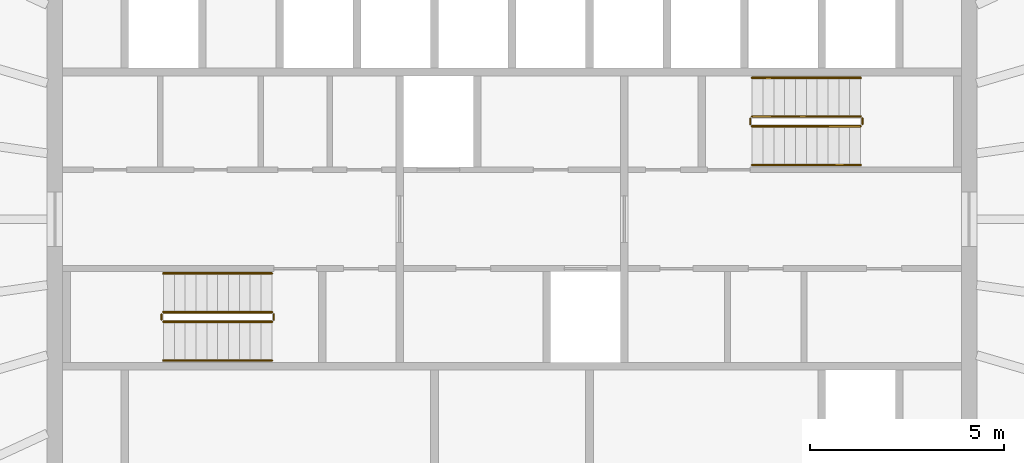
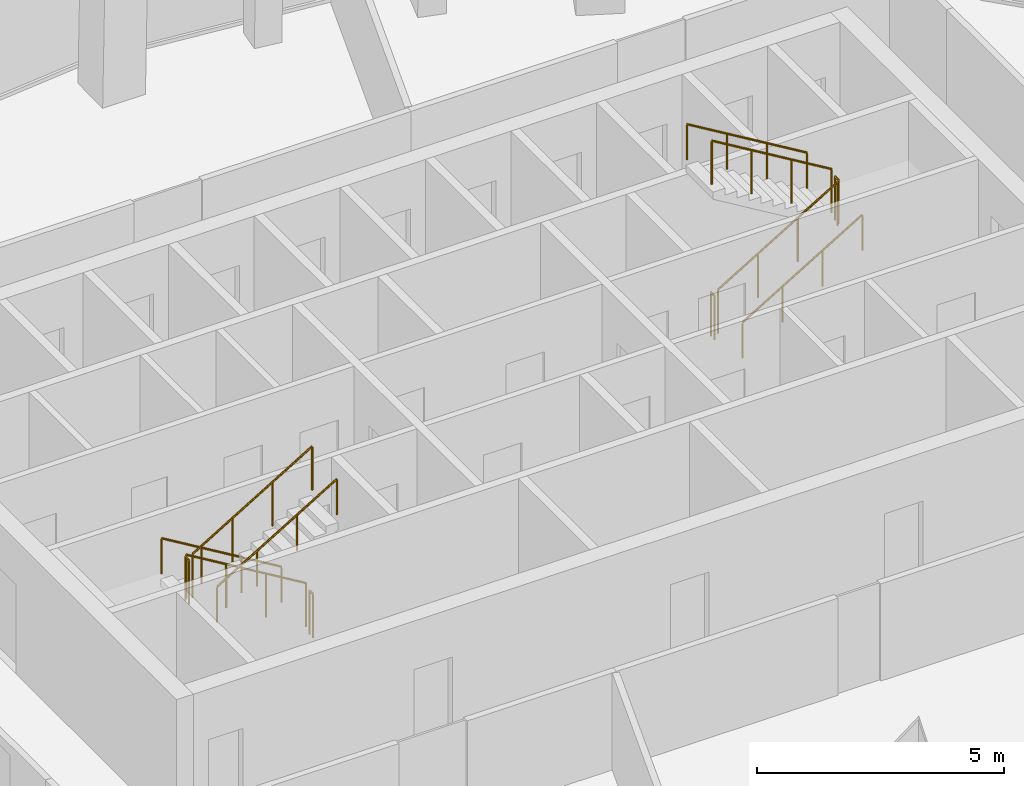
# One storey, part 11 of 11: 12 railings.
"""IFC4 building model written with IfcOpenShell, lengths in metres."""

from ifc_helpers import new_model, si_unit, direction, frame, origin, origin_2d, place, context, subcontext, project, spatial, circle, extrude, material, type_object, element, save


model = new_model("IFC4")

# Units and contexts
model_context = context("Model", 3, precision=1e-05, world=origin(), true_north=direction((0.0, 1.0)))
body_context = subcontext(model_context, "Body", "Model", "MODEL_VIEW")
ifc_project = project(units=[si_unit("LENGTHUNIT", "METRE"), si_unit("AREAUNIT", "SQUARE_METRE"), si_unit("VOLUMEUNIT", "CUBIC_METRE"), si_unit("PLANEANGLEUNIT", "RADIAN"), si_unit("MASSUNIT", "GRAM", prefix="KILO")], contexts=[model_context])

# Site, building, storey
site_placement = place(None, origin())
site = spatial("IfcSite", under=ifc_project, at=site_placement, CompositionType="ELEMENT")
building_placement = place(site_placement, origin())
building = spatial("IfcBuilding", under=site, at=building_placement, Name="Siaravel Broadcast Tower", CompositionType="ELEMENT")
storey_placement = place(building_placement, frame((0.0, 0.0, 243.0)))
storey = spatial("IfcBuildingStorey", under=building, at=storey_placement, Name="L59", CompositionType="ELEMENT", Elevation=243.0)

# Railings
ifc_material = material(Name="Stainless steel 316L", Category="steel")
railing_type_1 = type_object("IfcRailingType", Name="Stair guard 1100", PredefinedType="GUARDRAIL", material=ifc_material)
railing_1_placement = place(storey_placement, frame((-6.199951171875, -2.39990234375, 0.168212890625)))
element("IfcRailing", 1, at=railing_1_placement, inside=storey, type_object=railing_type_1, Name="L59 ST-1 stair guard 1", PredefinedType="GUARDRAIL", context=body_context, shape_type="SweptSolid", body=[
    extrude(circle(Radius=0.02392578125, at=origin_2d()), frame((0.0, 0.0, 1.076171875), z_axis=(-0.857242211, 0.0, 0.514913383), x_axis=(0.0, -1.0, 0.0)), (0.0, 0.0, 1.0), 3.266357421875),
    extrude(circle(Radius=0.02099609375, at=origin_2d()), origin(), (0.0, 0.0, 1.0), 1.052001953125),
    extrude(circle(Radius=0.02099609375, at=origin_2d()), frame((-0.933349609375, 0.0, 0.560546875)), (0.0, 0.0, 1.0), 1.052001953125),
    extrude(circle(Radius=0.02099609375, at=origin_2d()), frame((-1.86669921875, 0.0, 1.121337890625)), (0.0, 0.0, 1.0), 1.052001953125),
    extrude(circle(Radius=0.02099609375, at=origin_2d()), frame((-2.800048828125, 0.0, 1.681884765625)), (0.0, 0.0, 1.0), 1.052001953125),
])
railing_2_placement = place(storey_placement, frame((-9.050048828125, -2.449951171875, 1.85009765625)))
element("IfcRailing", 2, at=railing_2_placement, inside=storey, type_object=railing_type_1, Name="L59 ST-1 stair guard 2", PredefinedType="GUARDRAIL", context=body_context, shape_type="SweptSolid", body=[
    extrude(circle(Radius=0.02392578125, at=origin_2d()), frame((0.0, 0.0, 1.076171875), z_axis=(0.0, -1.0, 0.0), x_axis=(1.0, 0.0, 0.0)), (0.0, 0.0, 1.0), 0.150146484375),
    extrude(circle(Radius=0.02099609375, at=origin_2d()), origin(), (0.0, 0.0, 1.0), 1.052001953125),
    extrude(circle(Radius=0.02099609375, at=origin_2d()), frame((0.0, -0.150146484375, 0.0)), (0.0, 0.0, 1.0), 1.052001953125),
])
railing_3_placement = place(storey_placement, frame((-9.0, -2.64990234375, 2.01806640625)))
element("IfcRailing", 3, at=railing_3_placement, inside=storey, type_object=railing_type_1, Name="L59 ST-1 stair guard 3", PredefinedType="GUARDRAIL", context=body_context, shape_type="SweptSolid", body=[
    extrude(circle(Radius=0.02392578125, at=origin_2d()), frame((0.0, 0.0, 1.076171875), z_axis=(0.857242211, 0.0, 0.514913383), x_axis=(0.0, 1.0, 0.0)), (0.0, 0.0, 1.0), 3.266357421875),
    extrude(circle(Radius=0.02099609375, at=origin_2d()), origin(), (0.0, 0.0, 1.0), 1.052001953125),
    extrude(circle(Radius=0.02099609375, at=origin_2d()), frame((0.933349609375, 0.0, 0.560546875)), (0.0, 0.0, 1.0), 1.052001953125),
    extrude(circle(Radius=0.02099609375, at=origin_2d()), frame((1.86669921875, 0.0, 1.121337890625)), (0.0, 0.0, 1.0), 1.052001953125),
    extrude(circle(Radius=0.02099609375, at=origin_2d()), frame((2.800048828125, 0.0, 1.681884765625)), (0.0, 0.0, 1.0), 1.052001953125),
])
railing_4_placement = place(storey_placement, frame((-6.14990234375, -2.449951171875, 0.0)))
element("IfcRailing", 4, at=railing_4_placement, inside=storey, type_object=railing_type_1, Name="L59 ST-1 stair guard 4", PredefinedType="GUARDRAIL", context=body_context, shape_type="SweptSolid", body=[
    extrude(circle(Radius=0.02392578125, at=origin_2d()), frame((0.0, 0.0, 1.076171875), z_axis=(0.0, -1.0, 0.0), x_axis=(1.0, 0.0, 0.0)), (0.0, 0.0, 1.0), 0.150146484375),
    extrude(circle(Radius=0.02099609375, at=origin_2d()), origin(), (0.0, 0.0, 1.0), 1.052001953125),
    extrude(circle(Radius=0.02099609375, at=origin_2d()), frame((0.0, -0.150146484375, 0.0)), (0.0, 0.0, 1.0), 1.052001953125),
])
railing_5_placement = place(storey_placement, frame((6.199951171875, 2.39990234375, 0.168212890625)))
element("IfcRailing", 5, at=railing_5_placement, inside=storey, type_object=railing_type_1, Name="L59 ST-2 stair guard 1", PredefinedType="GUARDRAIL", context=body_context, shape_type="SweptSolid", body=[
    extrude(circle(Radius=0.02392578125, at=origin_2d()), frame((0.0, 0.0, 1.076171875), z_axis=(0.857242211, 0.0, 0.514913383), x_axis=(0.0, 1.0, 0.0)), (0.0, 0.0, 1.0), 3.266357421875),
    extrude(circle(Radius=0.02099609375, at=origin_2d()), origin(), (0.0, 0.0, 1.0), 1.052001953125),
    extrude(circle(Radius=0.02099609375, at=origin_2d()), frame((0.933349609375, 0.0, 0.560546875)), (0.0, 0.0, 1.0), 1.052001953125),
    extrude(circle(Radius=0.02099609375, at=origin_2d()), frame((1.86669921875, 0.0, 1.121337890625)), (0.0, 0.0, 1.0), 1.052001953125),
    extrude(circle(Radius=0.02099609375, at=origin_2d()), frame((2.800048828125, 0.0, 1.681884765625)), (0.0, 0.0, 1.0), 1.052001953125),
])
railing_6_placement = place(storey_placement, frame((9.050048828125, 2.449951171875, 1.85009765625)))
element("IfcRailing", 6, at=railing_6_placement, inside=storey, type_object=railing_type_1, Name="L59 ST-2 stair guard 2", PredefinedType="GUARDRAIL", context=body_context, shape_type="SweptSolid", body=[
    extrude(circle(Radius=0.02392578125, at=origin_2d()), frame((0.0, 0.0, 1.076171875), z_axis=(0.0, 1.0, 0.0), x_axis=(-1.0, 0.0, 0.0)), (0.0, 0.0, 1.0), 0.150146484375),
    extrude(circle(Radius=0.02099609375, at=origin_2d()), origin(), (0.0, 0.0, 1.0), 1.052001953125),
    extrude(circle(Radius=0.02099609375, at=origin_2d()), frame((0.0, 0.150146484375, 0.0)), (0.0, 0.0, 1.0), 1.052001953125),
])
railing_7_placement = place(storey_placement, frame((9.0, 2.64990234375, 2.01806640625)))
element("IfcRailing", 7, at=railing_7_placement, inside=storey, type_object=railing_type_1, Name="L59 ST-2 stair guard 3", PredefinedType="GUARDRAIL", context=body_context, shape_type="SweptSolid", body=[
    extrude(circle(Radius=0.02392578125, at=origin_2d()), frame((0.0, 0.0, 1.076171875), z_axis=(-0.857242211, 0.0, 0.514913383), x_axis=(0.0, -1.0, 0.0)), (0.0, 0.0, 1.0), 3.266357421875),
    extrude(circle(Radius=0.02099609375, at=origin_2d()), origin(), (0.0, 0.0, 1.0), 1.052001953125),
    extrude(circle(Radius=0.02099609375, at=origin_2d()), frame((-0.933349609375, 0.0, 0.560546875)), (0.0, 0.0, 1.0), 1.052001953125),
    extrude(circle(Radius=0.02099609375, at=origin_2d()), frame((-1.86669921875, 0.0, 1.121337890625)), (0.0, 0.0, 1.0), 1.052001953125),
    extrude(circle(Radius=0.02099609375, at=origin_2d()), frame((-2.800048828125, 0.0, 1.681884765625)), (0.0, 0.0, 1.0), 1.052001953125),
])
railing_8_placement = place(storey_placement, frame((6.14990234375, 2.449951171875, 0.0)))
element("IfcRailing", 8, at=railing_8_placement, inside=storey, type_object=railing_type_1, Name="L59 ST-2 stair guard 4", PredefinedType="GUARDRAIL", context=body_context, shape_type="SweptSolid", body=[
    extrude(circle(Radius=0.02392578125, at=origin_2d()), frame((0.0, 0.0, 1.076171875), z_axis=(0.0, 1.0, 0.0), x_axis=(-1.0, 0.0, 0.0)), (0.0, 0.0, 1.0), 0.150146484375),
    extrude(circle(Radius=0.02099609375, at=origin_2d()), origin(), (0.0, 0.0, 1.0), 1.052001953125),
    extrude(circle(Radius=0.02099609375, at=origin_2d()), frame((0.0, 0.150146484375, 0.0)), (0.0, 0.0, 1.0), 1.052001953125),
])
railing_type_2 = type_object("IfcRailingType", Name="Stair handrail 900", PredefinedType="HANDRAIL", material=ifc_material)
railing_9_placement = place(storey_placement, frame((-6.199951171875, -1.39990234375, 0.168212890625)))
element("IfcRailing", 9, at=railing_9_placement, inside=storey, type_object=railing_type_2, Name="L59 ST-1 stair handrail 1", PredefinedType="HANDRAIL", context=body_context, shape_type="SweptSolid", body=[
    extrude(circle(Radius=0.02392578125, at=origin_2d()), frame((0.0, 0.0, 0.8759765625), z_axis=(-0.857242211, 0.0, 0.514913383), x_axis=(0.0, -1.0, 0.0)), (0.0, 0.0, 1.0), 3.266357421875),
    extrude(circle(Radius=0.02099609375, at=origin_2d()), origin(), (0.0, 0.0, 1.0), 0.851806640625),
    extrude(circle(Radius=0.02099609375, at=origin_2d()), frame((-0.933349609375, 0.0, 0.560546875)), (0.0, 0.0, 1.0), 0.851806640625),
    extrude(circle(Radius=0.02099609375, at=origin_2d()), frame((-1.86669921875, 0.0, 1.121337890625)), (0.0, 0.0, 1.0), 0.851806640625),
    extrude(circle(Radius=0.02099609375, at=origin_2d()), frame((-2.800048828125, 0.0, 1.681884765625)), (0.0, 0.0, 1.0), 0.851806640625),
])
for number, where, name in (
    (10, (-9.0, -3.64990234375, 2.01806640625), "L59 ST-1 stair handrail 2"),
    (11, (6.199951171875, 1.39990234375, 0.168212890625), "L59 ST-2 stair handrail 1"),
):
    element("IfcRailing", number, at=place(storey_placement, frame(where)), inside=storey, type_object=railing_type_2, Name=name, PredefinedType="HANDRAIL", context=body_context, shape_type="SweptSolid", body=[
        extrude(circle(Radius=0.02392578125, at=origin_2d()), frame((0.0, 0.0, 0.8759765625), z_axis=(0.857242211, 0.0, 0.514913383), x_axis=(0.0, 1.0, 0.0)), (0.0, 0.0, 1.0), 3.266357421875),
        extrude(circle(Radius=0.02099609375, at=origin_2d()), origin(), (0.0, 0.0, 1.0), 0.851806640625),
        extrude(circle(Radius=0.02099609375, at=origin_2d()), frame((0.933349609375, 0.0, 0.560546875)), (0.0, 0.0, 1.0), 0.851806640625),
        extrude(circle(Radius=0.02099609375, at=origin_2d()), frame((1.86669921875, 0.0, 1.121337890625)), (0.0, 0.0, 1.0), 0.851806640625),
        extrude(circle(Radius=0.02099609375, at=origin_2d()), frame((2.800048828125, 0.0, 1.681884765625)), (0.0, 0.0, 1.0), 0.851806640625),
    ])
railing_10_placement = place(storey_placement, frame((9.0, 3.64990234375, 2.01806640625)))
element("IfcRailing", 12, at=railing_10_placement, inside=storey, type_object=railing_type_2, Name="L59 ST-2 stair handrail 2", PredefinedType="HANDRAIL", context=body_context, shape_type="SweptSolid", body=[
    extrude(circle(Radius=0.02392578125, at=origin_2d()), frame((0.0, 0.0, 0.8759765625), z_axis=(-0.857242211, 0.0, 0.514913383), x_axis=(0.0, -1.0, 0.0)), (0.0, 0.0, 1.0), 3.266357421875),
    extrude(circle(Radius=0.02099609375, at=origin_2d()), origin(), (0.0, 0.0, 1.0), 0.851806640625),
    extrude(circle(Radius=0.02099609375, at=origin_2d()), frame((-0.933349609375, 0.0, 0.560546875)), (0.0, 0.0, 1.0), 0.851806640625),
    extrude(circle(Radius=0.02099609375, at=origin_2d()), frame((-1.86669921875, 0.0, 1.121337890625)), (0.0, 0.0, 1.0), 0.851806640625),
    extrude(circle(Radius=0.02099609375, at=origin_2d()), frame((-2.800048828125, 0.0, 1.681884765625)), (0.0, 0.0, 1.0), 0.851806640625),
])

save(model, "model.ifc")
